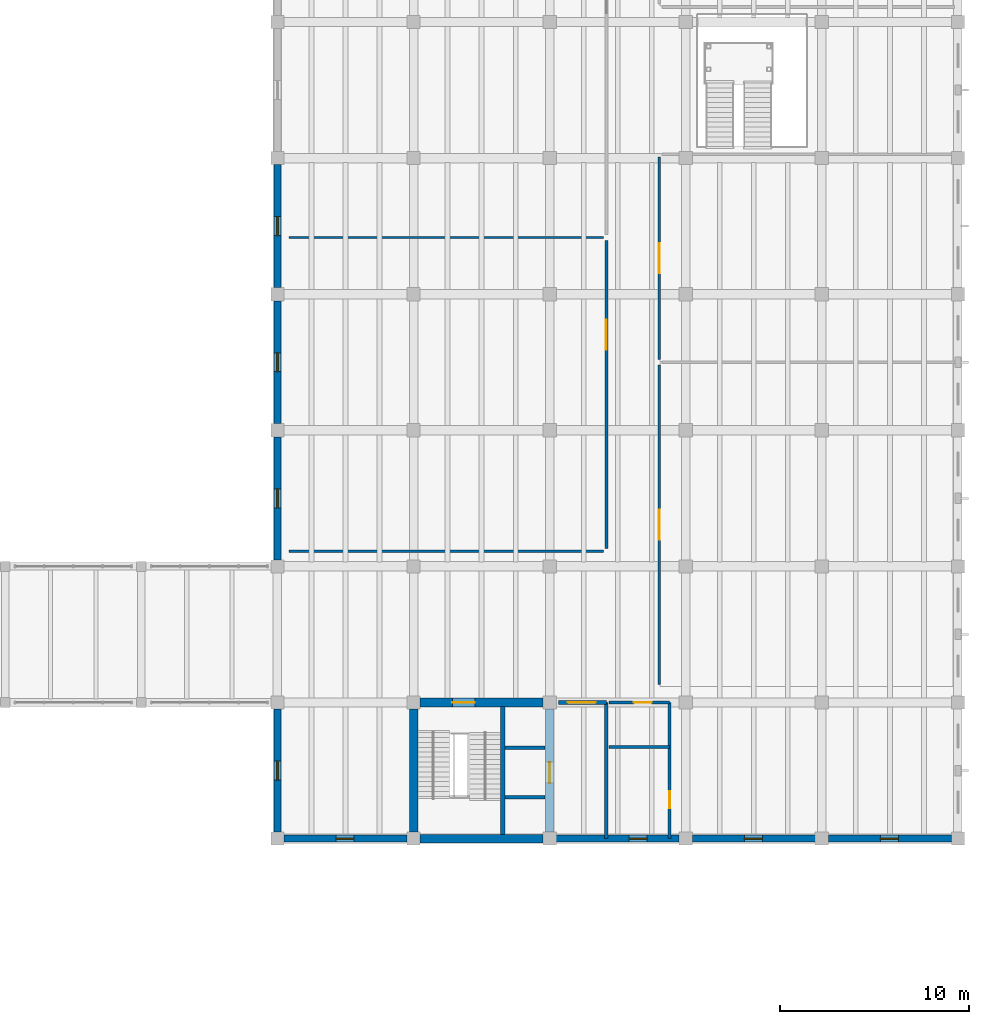
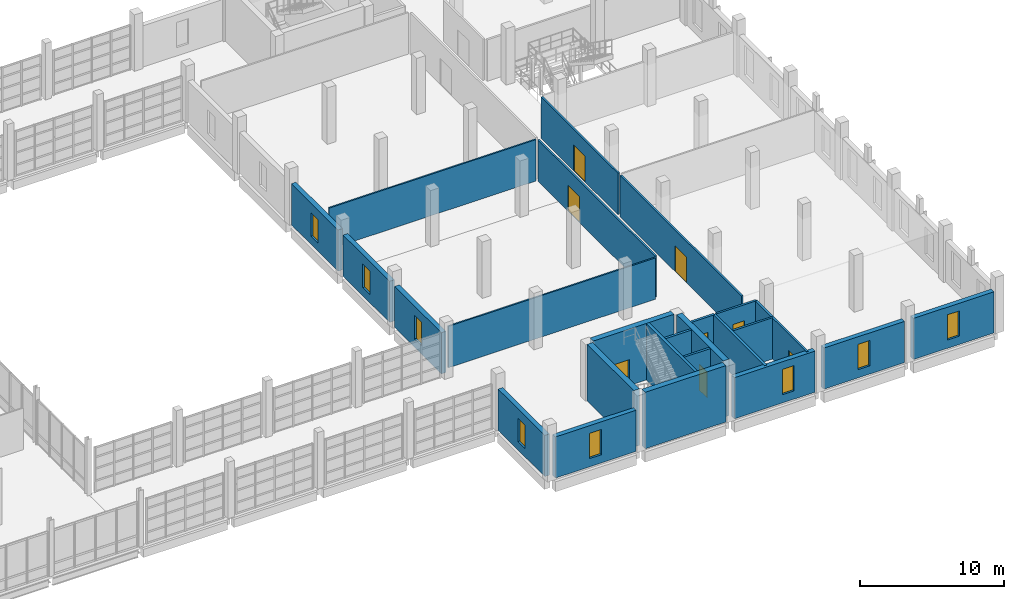
# One storey, part 69 of 77: 25 walls, 8 doors, 8 windows, 16 openings.
"""IFC4 building model written with IfcOpenShell, lengths in metres."""

from ifc_helpers import new_model, si_unit, direction, frame, frame_2d, origin, place, context, subcontext, project, spatial, rectangle, extrude, material, layer, layer_set, type_object, element, fill, save


model = new_model("IFC4")

# Units and contexts
model_context = context("Model", 3, precision=1e-05, world=origin(), true_north=direction((0.0, 1.0)))
body_context = subcontext(model_context, "Body", "Model", "MODEL_VIEW")
ifc_project = project(units=[si_unit("LENGTHUNIT", "METRE"), si_unit("AREAUNIT", "SQUARE_METRE"), si_unit("VOLUMEUNIT", "CUBIC_METRE"), si_unit("PLANEANGLEUNIT", "RADIAN"), si_unit("MASSUNIT", "GRAM", prefix="KILO")], contexts=[model_context])

# Site, building, storey
site_placement = place(None, origin())
site = spatial("IfcSite", under=ifc_project, at=site_placement, CompositionType="ELEMENT")
building_placement = place(site_placement, origin())
building = spatial("IfcBuilding", under=site, at=building_placement, Name="Qiaolan Assembly House", CompositionType="ELEMENT")
storey_placement = place(building_placement, frame((0.0, 0.0, 5.39990234375)))
storey = spatial("IfcBuildingStorey", under=building, at=storey_placement, Name="L01", CompositionType="ELEMENT", Elevation=5.39990234375)

# Wall
ifc_material_1 = material(Name="Concrete C50/60", Category="concrete")
ifc_layer_1 = layer(ifc_material_1, 0.449951171875)
ifc_layer_set_1 = layer_set([ifc_layer_1], Name="Concrete C50/60")
wall_type_1 = type_object("IfcWallType", Name="WAL-CORE-450", PredefinedType="SHEAR", material=ifc_layer_set_1)
wall_1_placement = place(storey_placement, frame((144.35009765625, 28.800048828125, 0.0), z_axis=(0.0, 0.0, 1.0), x_axis=(1.0, 0.0, 0.0)))
element("IfcWall", 1, at=wall_1_placement, inside=storey, type_object=wall_type_1, Name="CW-450 shear core wall CORE-E S L01", PredefinedType="SHEAR", context=body_context, shape_type="SweptSolid", body=[
    extrude(rectangle(XDim=6.5, YDim=0.449951171875, at=frame_2d((3.25, 0.0))), origin(), (0.0, 0.0, 1.0), 4.800048828125),
])

# Wall, opening, door
wall_2_placement = place(storey_placement, frame((151.199951171875, 29.14990234375, 0.0), z_axis=(0.0, 0.0, 1.0), x_axis=(0.0, 1.0, 0.0)))
wall_2 = element("IfcWall", 2, at=wall_2_placement, inside=storey, type_object=wall_type_1, Name="CW-450 shear core wall CORE-E E L01", PredefinedType="SHEAR", context=body_context, shape_type="SweptSolid", body=[
    extrude(rectangle(XDim=6.5, YDim=0.449951171875, at=frame_2d((3.25, 0.0))), origin(), (0.0, 0.0, 1.0), 4.800048828125),
])
opening_1_placement = place(wall_2_placement, frame((2.60009765625, 0.0, 0.0)))
opening_1 = element("IfcOpeningElement", 3, at=opening_1_placement, cuts=wall_2, Name="Opening LD-066", PredefinedType="OPENING", context=body_context, shape_type="SweptSolid", body=[
    extrude(rectangle(XDim=1.10009765625, YDim=2.199951171875, at=frame_2d((0.550048828125, 1.10009765625))), frame((0.0, 0.23486328125, 0.0), z_axis=(0.0, -1.0, 0.0), x_axis=(1.0, 0.0, 0.0)), (0.0, 0.0, 1.0), 0.469970703125),
])
ifc_material_2 = material(Name="Anodised bronze aluminium", Category="aluminium")
door_type_1 = type_object("IfcDoorType", Name="DOR-LIFT-LD1100", OperationType="SLIDING_TO_LEFT", PredefinedType="DOOR", material=ifc_material_2)
door_1_placement = place(opening_1_placement, origin())
door_1 = element("IfcDoor", 4, at=door_1_placement, inside=storey, type_object=door_type_1, Name="Lift landing door LD-066 (LF-09 L01)", OperationType="SLIDING_TO_LEFT", OverallHeight=2.199951171875, OverallWidth=1.10009765625, PredefinedType="DOOR", context=body_context, shape_type="SweptSolid", body=[
    extrude(rectangle(XDim=1.10009765625, YDim=2.199951171875, at=frame_2d((0.550048828125, 1.10009765625))), frame((0.0, 0.02490234375, 0.0), z_axis=(0.0, -1.0, 0.0), x_axis=(1.0, 0.0, 0.0)), (0.0, 0.0, 1.0), 0.050048828125),
])
fill(opening_1, door_1)

wall_3_placement = place(storey_placement, frame((150.85009765625, 36.0, 0.0), z_axis=(0.0, 0.0, 1.0), x_axis=(-1.0, 0.0, 0.0)))
wall_3 = element("IfcWall", 5, at=wall_3_placement, inside=storey, type_object=wall_type_1, Name="CW-450 shear core wall CORE-E N L01", PredefinedType="SHEAR", context=body_context, shape_type="SweptSolid", body=[
    extrude(rectangle(XDim=6.5, YDim=0.449951171875, at=frame_2d((3.25, 0.0))), origin(), (0.0, 0.0, 1.0), 4.800048828125),
])
opening_2_placement = place(wall_3_placement, frame((3.60009765625, 0.0, 0.0)))
opening_2 = element("IfcOpeningElement", 6, at=opening_2_placement, cuts=wall_3, Name="Opening FD-113", PredefinedType="OPENING", context=body_context, shape_type="SweptSolid", body=[
    extrude(rectangle(XDim=1.199951171875, YDim=2.199951171875, at=frame_2d((0.60009765625, 1.10009765625))), frame((0.0, 0.23486328125, 0.0), z_axis=(0.0, -1.0, 0.0), x_axis=(1.0, 0.0, 0.0)), (0.0, 0.0, 1.0), 0.469970703125),
])
ifc_material_3 = material(Name="Steel Q355B", Category="steel")
door_type_2 = type_object("IfcDoorType", Name="DOR-FIRE-FD90-1200", OperationType="NOTDEFINED", PredefinedType="DOOR", material=ifc_material_3)
door_2_placement = place(opening_2_placement, frame((1.199951171875, 0.0, 0.0), z_axis=(0.0, 0.0, 1.0), x_axis=(-1.0, 0.0, 0.0)))
door_2 = element("IfcDoor", 7, at=door_2_placement, inside=storey, type_object=door_type_2, Name="Stairwell fire door FD-113 (CORE-E L01)", OperationType="SINGLE_SWING_LEFT", OverallHeight=2.199951171875, OverallWidth=1.199951171875, PredefinedType="DOOR", context=body_context, shape_type="SweptSolid", body=[
    extrude(rectangle(XDim=1.199951171875, YDim=2.199951171875, at=frame_2d((0.60009765625, 1.10009765625))), frame((0.0, 0.02490234375, 0.0), z_axis=(0.0, -1.0, 0.0), x_axis=(1.0, 0.0, 0.0)), (0.0, 0.0, 1.0), 0.050048828125),
])
fill(opening_2, door_2)

# Wall
wall_4_placement = place(storey_placement, frame((144.0, 35.64990234375, 0.0), z_axis=(0.0, 0.0, 1.0), x_axis=(0.0, -1.0, 0.0)))
element("IfcWall", 8, at=wall_4_placement, inside=storey, type_object=wall_type_1, Name="CW-450 shear core wall CORE-E W L01", PredefinedType="SHEAR", context=body_context, shape_type="SweptSolid", body=[
    extrude(rectangle(XDim=6.5, YDim=0.449951171875, at=frame_2d((3.25, 0.0))), origin(), (0.0, 0.0, 1.0), 4.800048828125),
])

# Wall, opening, window
ifc_material_4 = material(Name="Honed pale limestone", Category="masonry")
ifc_layer_2 = layer(ifc_material_4, 0.3798828125)
ifc_layer_set_2 = layer_set([ifc_layer_2], Name="Honed pale limestone")
wall_type_2 = type_object("IfcWallType", Name="WAL-EXT-LIB-380", PredefinedType="SOLIDWALL", material=ifc_layer_set_2)
wall_5_placement = place(storey_placement, frame((136.800048828125, 29.14794921875, 0.0), z_axis=(0.0, 0.0, 1.0), x_axis=(0.0, 1.0, 0.0)))
wall_5 = element("IfcWall", 9, at=wall_5_placement, inside=storey, type_object=wall_type_2, Name="Library West court wall L01-1", PredefinedType="SOLIDWALL", context=body_context, shape_type="SweptSolid", body=[
    extrude(rectangle(XDim=6.504150390625, YDim=0.3798828125, at=frame_2d((3.251953125, 0.0))), origin(), (0.0, 0.0, 1.0), 3.5),
])
opening_3_placement = place(wall_5_placement, frame((2.751953125, 0.0, 0.699951171875)))
opening_3 = element("IfcOpeningElement", 10, at=opening_3_placement, cuts=wall_5, Name="Opening WN-428", PredefinedType="OPENING", context=body_context, shape_type="SweptSolid", body=[
    extrude(rectangle(XDim=1.0, YDim=2.0, at=frame_2d((0.5, 1.0))), frame((0.0, 0.199951171875, 0.0), z_axis=(0.0, -1.0, 0.0), x_axis=(1.0, 0.0, 0.0)), (0.0, 0.0, 1.0), 0.39990234375),
])
ifc_material_5 = material(Name="Low-E double insulating glass", Category="glass")
window_type_1 = type_object("IfcWindowType", Name="WIN-LIB-ARCH-1000x2000", PartitioningType="SINGLE_PANEL", PredefinedType="WINDOW", material=ifc_material_5)
window_1_placement = place(opening_3_placement, origin())
window_1 = element("IfcWindow", 11, at=window_1_placement, inside=storey, type_object=window_type_1, Name="Library courtyard window WN-428", OverallHeight=2.0, OverallWidth=1.0, PartitioningType="SINGLE_PANEL", PredefinedType="WINDOW", context=body_context, shape_type="SweptSolid", body=[
    extrude(rectangle(XDim=1.0, YDim=2.0, at=frame_2d((0.5, 1.0))), frame((0.0, 0.030029296875, 0.0), z_axis=(0.0, -1.0, 0.0), x_axis=(1.0, 0.0, 0.0)), (0.0, 0.0, 1.0), 0.06005859375),
])
fill(opening_3, window_1)

wall_6_placement = place(storey_placement, frame((136.800048828125, 43.548095703125, 0.0), z_axis=(0.0, 0.0, 1.0), x_axis=(0.0, 1.0, 0.0)))
wall_6 = element("IfcWall", 12, at=wall_6_placement, inside=storey, type_object=wall_type_2, Name="Library West court wall L01-3", PredefinedType="SOLIDWALL", context=body_context, shape_type="SweptSolid", body=[
    extrude(rectangle(XDim=6.50390625, YDim=0.3798828125, at=frame_2d((3.251953125, 0.0))), origin(), (0.0, 0.0, 1.0), 3.5),
])
opening_4_placement = place(wall_6_placement, frame((2.751953125, 0.0, 0.699951171875)))
opening_4 = element("IfcOpeningElement", 13, at=opening_4_placement, cuts=wall_6, Name="Opening WN-433", PredefinedType="OPENING", context=body_context, shape_type="SweptSolid", body=[
    extrude(rectangle(XDim=1.0, YDim=2.0, at=frame_2d((0.5, 1.0))), frame((0.0, 0.199951171875, 0.0), z_axis=(0.0, -1.0, 0.0), x_axis=(1.0, 0.0, 0.0)), (0.0, 0.0, 1.0), 0.39990234375),
])
window_2_placement = place(opening_4_placement, origin())
window_2 = element("IfcWindow", 14, at=window_2_placement, inside=storey, type_object=window_type_1, Name="Library courtyard window WN-433", OverallHeight=2.0, OverallWidth=1.0, PartitioningType="SINGLE_PANEL", PredefinedType="WINDOW", context=body_context, shape_type="SweptSolid", body=[
    extrude(rectangle(XDim=1.0, YDim=2.0, at=frame_2d((0.5, 1.0))), frame((0.0, 0.030029296875, 0.0), z_axis=(0.0, -1.0, 0.0), x_axis=(1.0, 0.0, 0.0)), (0.0, 0.0, 1.0), 0.06005859375),
])
fill(opening_4, window_2)

wall_7_placement = place(storey_placement, frame((136.800048828125, 50.748046875, 0.0), z_axis=(0.0, 0.0, 1.0), x_axis=(0.0, 1.0, 0.0)))
wall_7 = element("IfcWall", 15, at=wall_7_placement, inside=storey, type_object=wall_type_2, Name="Library West court wall L01-4", PredefinedType="SOLIDWALL", context=body_context, shape_type="SweptSolid", body=[
    extrude(rectangle(XDim=6.50390625, YDim=0.3798828125, at=frame_2d((3.251953125, 0.0))), origin(), (0.0, 0.0, 1.0), 3.5),
])
opening_5_placement = place(wall_7_placement, frame((2.751953125, 0.0, 0.699951171875)))
opening_5 = element("IfcOpeningElement", 16, at=opening_5_placement, cuts=wall_7, Name="Opening WN-436", PredefinedType="OPENING", context=body_context, shape_type="SweptSolid", body=[
    extrude(rectangle(XDim=1.0, YDim=2.0, at=frame_2d((0.5, 1.0))), frame((0.0, 0.199951171875, 0.0), z_axis=(0.0, -1.0, 0.0), x_axis=(1.0, 0.0, 0.0)), (0.0, 0.0, 1.0), 0.39990234375),
])
window_3_placement = place(opening_5_placement, origin())
window_3 = element("IfcWindow", 17, at=window_3_placement, inside=storey, type_object=window_type_1, Name="Library courtyard window WN-436", OverallHeight=2.0, OverallWidth=1.0, PartitioningType="SINGLE_PANEL", PredefinedType="WINDOW", context=body_context, shape_type="SweptSolid", body=[
    extrude(rectangle(XDim=1.0, YDim=2.0, at=frame_2d((0.5, 1.0))), frame((0.0, 0.030029296875, 0.0), z_axis=(0.0, -1.0, 0.0), x_axis=(1.0, 0.0, 0.0)), (0.0, 0.0, 1.0), 0.06005859375),
])
fill(opening_5, window_3)

wall_8_placement = place(storey_placement, frame((136.800048828125, 57.947998046875, 0.0), z_axis=(0.0, 0.0, 1.0), x_axis=(0.0, 1.0, 0.0)))
wall_8 = element("IfcWall", 18, at=wall_8_placement, inside=storey, type_object=wall_type_2, Name="Library West court wall L01-5", PredefinedType="SOLIDWALL", context=body_context, shape_type="SweptSolid", body=[
    extrude(rectangle(XDim=6.50390625, YDim=0.3798828125, at=frame_2d((3.251953125, 0.0))), origin(), (0.0, 0.0, 1.0), 3.5),
])
opening_6_placement = place(wall_8_placement, frame((2.751953125, 0.0, 0.699951171875)))
opening_6 = element("IfcOpeningElement", 19, at=opening_6_placement, cuts=wall_8, Name="Opening WN-439", PredefinedType="OPENING", context=body_context, shape_type="SweptSolid", body=[
    extrude(rectangle(XDim=1.0, YDim=2.0, at=frame_2d((0.5, 1.0))), frame((0.0, 0.199951171875, 0.0), z_axis=(0.0, -1.0, 0.0), x_axis=(1.0, 0.0, 0.0)), (0.0, 0.0, 1.0), 0.39990234375),
])
window_4_placement = place(opening_6_placement, origin())
window_4 = element("IfcWindow", 20, at=window_4_placement, inside=storey, type_object=window_type_1, Name="Library courtyard window WN-439", OverallHeight=2.0, OverallWidth=1.0, PartitioningType="SINGLE_PANEL", PredefinedType="WINDOW", context=body_context, shape_type="SweptSolid", body=[
    extrude(rectangle(XDim=1.0, YDim=2.0, at=frame_2d((0.5, 1.0))), frame((0.0, 0.030029296875, 0.0), z_axis=(0.0, -1.0, 0.0), x_axis=(1.0, 0.0, 0.0)), (0.0, 0.0, 1.0), 0.06005859375),
])
fill(opening_6, window_4)

wall_9_placement = place(storey_placement, frame((137.14794921875, 28.800048828125, 0.0), z_axis=(0.0, 0.0, 1.0), x_axis=(1.0, 0.0, 0.0)))
wall_9 = element("IfcWall", 21, at=wall_9_placement, inside=storey, type_object=wall_type_2, Name="Library South wall L01-1", PredefinedType="SOLIDWALL", context=body_context, shape_type="SweptSolid", body=[
    extrude(rectangle(XDim=6.504150390625, YDim=0.3798828125, at=frame_2d((3.251953125, 0.0))), origin(), (0.0, 0.0, 1.0), 3.5),
])
opening_7_placement = place(wall_9_placement, frame((2.751953125, 0.0, 0.699951171875)))
opening_7 = element("IfcOpeningElement", 22, at=opening_7_placement, cuts=wall_9, Name="Opening WN-448", PredefinedType="OPENING", context=body_context, shape_type="SweptSolid", body=[
    extrude(rectangle(XDim=0.949951171875, YDim=2.14990234375, at=frame_2d((0.47509765625, 1.074951171875))), frame((0.0, 0.199951171875, 0.0), z_axis=(0.0, -1.0, 0.0), x_axis=(1.0, 0.0, 0.0)), (0.0, 0.0, 1.0), 0.39990234375),
])
window_type_2 = type_object("IfcWindowType", Name="WIN-PUNCH-950x2150", PartitioningType="SINGLE_PANEL", PredefinedType="WINDOW", material=ifc_material_5)
window_5_placement = place(opening_7_placement, origin())
window_5 = element("IfcWindow", 23, at=window_5_placement, inside=storey, type_object=window_type_2, Name="Library South window WN-448", OverallHeight=2.14990234375, OverallWidth=0.949951171875, PartitioningType="SINGLE_PANEL", PredefinedType="WINDOW", context=body_context, shape_type="SweptSolid", body=[
    extrude(rectangle(XDim=0.949951171875, YDim=2.14990234375, at=frame_2d((0.47509765625, 1.074951171875))), frame((0.0, 0.030029296875, 0.0), z_axis=(0.0, -1.0, 0.0), x_axis=(1.0, 0.0, 0.0)), (0.0, 0.0, 1.0), 0.06005859375),
])
fill(opening_7, window_5)

wall_10_placement = place(storey_placement, frame((151.548095703125, 28.800048828125, 0.0), z_axis=(0.0, 0.0, 1.0), x_axis=(1.0, 0.0, 0.0)))
wall_10 = element("IfcWall", 24, at=wall_10_placement, inside=storey, type_object=wall_type_2, Name="Library South wall L01-3", PredefinedType="SOLIDWALL", context=body_context, shape_type="SweptSolid", body=[
    extrude(rectangle(XDim=6.50390625, YDim=0.3798828125, at=frame_2d((3.251953125, 0.0))), origin(), (0.0, 0.0, 1.0), 3.5),
])
opening_8_placement = place(wall_10_placement, frame((3.860595703125, 0.0, 0.699951171875)))
opening_8 = element("IfcOpeningElement", 25, at=opening_8_placement, cuts=wall_10, Name="Opening WN-450", PredefinedType="OPENING", context=body_context, shape_type="SweptSolid", body=[
    extrude(rectangle(XDim=0.949951171875, YDim=2.14990234375, at=frame_2d((0.47509765625, 1.074951171875))), frame((0.0, 0.199951171875, 0.0), z_axis=(0.0, -1.0, 0.0), x_axis=(1.0, 0.0, 0.0)), (0.0, 0.0, 1.0), 0.39990234375),
])
window_6_placement = place(opening_8_placement, origin())
window_6 = element("IfcWindow", 26, at=window_6_placement, inside=storey, type_object=window_type_2, Name="Library South window WN-450", OverallHeight=2.14990234375, OverallWidth=0.949951171875, PartitioningType="SINGLE_PANEL", PredefinedType="WINDOW", context=body_context, shape_type="SweptSolid", body=[
    extrude(rectangle(XDim=0.949951171875, YDim=2.14990234375, at=frame_2d((0.47509765625, 1.074951171875))), frame((0.0, 0.030029296875, 0.0), z_axis=(0.0, -1.0, 0.0), x_axis=(1.0, 0.0, 0.0)), (0.0, 0.0, 1.0), 0.06005859375),
])
fill(opening_8, window_6)

wall_11_placement = place(storey_placement, frame((158.748046875, 28.800048828125, 0.0), z_axis=(0.0, 0.0, 1.0), x_axis=(1.0, 0.0, 0.0)))
wall_11 = element("IfcWall", 27, at=wall_11_placement, inside=storey, type_object=wall_type_2, Name="Library South wall L01-4", PredefinedType="SOLIDWALL", context=body_context, shape_type="SweptSolid", body=[
    extrude(rectangle(XDim=6.50390625, YDim=0.3798828125, at=frame_2d((3.251953125, 0.0))), origin(), (0.0, 0.0, 1.0), 3.5),
])
opening_9_placement = place(wall_11_placement, frame((2.751953125, 0.0, 0.699951171875)))
opening_9 = element("IfcOpeningElement", 28, at=opening_9_placement, cuts=wall_11, Name="Opening WN-452", PredefinedType="OPENING", context=body_context, shape_type="SweptSolid", body=[
    extrude(rectangle(XDim=0.949951171875, YDim=2.14990234375, at=frame_2d((0.47509765625, 1.074951171875))), frame((0.0, 0.199951171875, 0.0), z_axis=(0.0, -1.0, 0.0), x_axis=(1.0, 0.0, 0.0)), (0.0, 0.0, 1.0), 0.39990234375),
])
window_7_placement = place(opening_9_placement, origin())
window_7 = element("IfcWindow", 29, at=window_7_placement, inside=storey, type_object=window_type_2, Name="Library South window WN-452", OverallHeight=2.14990234375, OverallWidth=0.949951171875, PartitioningType="SINGLE_PANEL", PredefinedType="WINDOW", context=body_context, shape_type="SweptSolid", body=[
    extrude(rectangle(XDim=0.949951171875, YDim=2.14990234375, at=frame_2d((0.47509765625, 1.074951171875))), frame((0.0, 0.030029296875, 0.0), z_axis=(0.0, -1.0, 0.0), x_axis=(1.0, 0.0, 0.0)), (0.0, 0.0, 1.0), 0.06005859375),
])
fill(opening_9, window_7)

wall_12_placement = place(storey_placement, frame((165.947998046875, 28.800048828125, 0.0), z_axis=(0.0, 0.0, 1.0), x_axis=(1.0, 0.0, 0.0)))
wall_12 = element("IfcWall", 30, at=wall_12_placement, inside=storey, type_object=wall_type_2, Name="Library South wall L01-5", PredefinedType="SOLIDWALL", context=body_context, shape_type="SweptSolid", body=[
    extrude(rectangle(XDim=6.50390625, YDim=0.3798828125, at=frame_2d((3.251953125, 0.0))), origin(), (0.0, 0.0, 1.0), 3.5),
])
opening_10_placement = place(wall_12_placement, frame((2.751953125, 0.0, 0.699951171875)))
opening_10 = element("IfcOpeningElement", 31, at=opening_10_placement, cuts=wall_12, Name="Opening WN-454", PredefinedType="OPENING", context=body_context, shape_type="SweptSolid", body=[
    extrude(rectangle(XDim=0.949951171875, YDim=2.14990234375, at=frame_2d((0.47509765625, 1.074951171875))), frame((0.0, 0.199951171875, 0.0), z_axis=(0.0, -1.0, 0.0), x_axis=(1.0, 0.0, 0.0)), (0.0, 0.0, 1.0), 0.39990234375),
])
window_8_placement = place(opening_10_placement, origin())
window_8 = element("IfcWindow", 32, at=window_8_placement, inside=storey, type_object=window_type_2, Name="Library South window WN-454", OverallHeight=2.14990234375, OverallWidth=0.949951171875, PartitioningType="SINGLE_PANEL", PredefinedType="WINDOW", context=body_context, shape_type="SweptSolid", body=[
    extrude(rectangle(XDim=0.949951171875, YDim=2.14990234375, at=frame_2d((0.47509765625, 1.074951171875))), frame((0.0, 0.030029296875, 0.0), z_axis=(0.0, -1.0, 0.0), x_axis=(1.0, 0.0, 0.0)), (0.0, 0.0, 1.0), 0.06005859375),
])
fill(opening_10, window_8)

# Wall
ifc_material_6 = material(Name="Concrete C35/45", Category="concrete")
ifc_layer_3 = layer(ifc_material_6, 0.199951171875)
ifc_layer_set_3 = layer_set([ifc_layer_3], Name="Concrete C35/45")
wall_type_3 = type_object("IfcWallType", Name="WAL-LOBBY-200", PredefinedType="PARTITIONING", material=ifc_layer_set_3)
wall_13_placement = place(storey_placement, frame((154.199951171875, 28.800048828125, 0.0), z_axis=(0.0, 0.0, 1.0), x_axis=(0.0, 1.0, 0.0)))
element("IfcWall", 33, at=wall_13_placement, inside=storey, type_object=wall_type_3, Name="Firefighting lift lobby east wall CORE-E L01", PredefinedType="PARTITIONING", context=body_context, shape_type="SweptSolid", body=[
    extrude(rectangle(XDim=7.199951171875, YDim=0.199951171875, at=frame_2d((3.60009765625, 0.0))), origin(), (0.0, 0.0, 1.0), 3.52001953125),
])

# Wall, opening, door
wall_14_placement = place(storey_placement, frame((154.199951171875, 36.0, 0.0), z_axis=(0.0, 0.0, 1.0), x_axis=(-1.0, 0.0, 0.0)))
wall_14 = element("IfcWall", 34, at=wall_14_placement, inside=storey, type_object=wall_type_3, Name="Firefighting lift lobby north wall CORE-E L01", PredefinedType="PARTITIONING", context=body_context, shape_type="SweptSolid", body=[
    extrude(rectangle(XDim=2.52001953125, YDim=0.199951171875, at=frame_2d((1.260009765625, 0.0))), origin(), (0.0, 0.0, 1.0), 3.52001953125),
])
opening_11_placement = place(wall_14_placement, frame((0.550048828125, 0.0, 0.0)))
opening_11 = element("IfcOpeningElement", 35, at=opening_11_placement, cuts=wall_14, Name="Opening FD-114", PredefinedType="OPENING", context=body_context, shape_type="SweptSolid", body=[
    extrude(rectangle(XDim=1.5, YDim=2.199951171875, at=frame_2d((0.75, 1.10009765625))), frame((0.0, 0.10986328125, 0.0), z_axis=(0.0, -1.0, 0.0), x_axis=(1.0, 0.0, 0.0)), (0.0, 0.0, 1.0), 0.219970703125),
])
ifc_material_7 = material(Name="Acoustic oak panelling")
door_type_3 = type_object("IfcDoorType", Name="DOR-LOBBY-FD60-1500", OperationType="DOUBLE_DOOR_SINGLE_SWING", PredefinedType="DOOR", material=ifc_material_7)
door_3_placement = place(opening_11_placement, frame((1.5, 0.0, 0.0), z_axis=(0.0, 0.0, 1.0), x_axis=(-1.0, 0.0, 0.0)))
door_3 = element("IfcDoor", 36, at=door_3_placement, inside=storey, type_object=door_type_3, Name="Lobby corridor fire door FD-114", OperationType="DOUBLE_DOOR_SINGLE_SWING", OverallHeight=2.199951171875, OverallWidth=1.5, PredefinedType="DOOR", context=body_context, shape_type="SweptSolid", body=[
    extrude(rectangle(XDim=1.5, YDim=2.199951171875, at=frame_2d((0.75, 1.10009765625))), frame((0.0, 0.02490234375, 0.0), z_axis=(0.0, -1.0, 0.0), x_axis=(1.0, 0.0, 0.0)), (0.0, 0.0, 1.0), 0.050048828125),
])
fill(opening_11, door_3)

# Walls
ifc_material_8 = material(Name="Gypsum plasterboard partition")
ifc_layer_4 = layer(ifc_material_8, 0.1201171875)
ifc_layer_set_4 = layer_set([ifc_layer_4], Name="Gypsum plasterboard partition")
wall_type_4 = type_object("IfcWallType", Name="WAL-PART-120", PredefinedType="PARTITIONING", material=ifc_layer_set_4)
for number, where, z_axis, x_axis, name in (
    (37, (137.39990234375, 44.0, 0.0), (0.0, 0.0, 1.0), (1.0, 0.0, 0.0), "Cloister Court Reading Carrels L01 end wall"),
    (38, (137.39990234375, 60.60009765625, 0.0), (0.0, 0.0, 1.0), (1.0, 0.0, 0.0), "Municipal Legal Reference Stacks L01 divider wall"),
):
    element("IfcWall", number, at=place(storey_placement, frame(where, z_axis=z_axis, x_axis=x_axis)), inside=storey, type_object=wall_type_4, Name=name, PredefinedType="PARTITIONING", context=body_context, shape_type="SweptSolid", body=[
        extrude(rectangle(XDim=16.650146484375, YDim=0.1201171875, at=frame_2d((8.3251953125, 0.0))), origin(), (0.0, 0.0, 1.0), 3.52001953125),
    ])

# Wall, opening, door
ifc_layer_5 = layer(ifc_material_8, 0.14990234375)
ifc_layer_set_5 = layer_set([ifc_layer_5], Name="Gypsum plasterboard partition")
wall_type_5 = type_object("IfcWallType", Name="WAL-PART-150", PredefinedType="PARTITIONING", material=ifc_layer_set_5)
wall_15_placement = place(storey_placement, frame((154.199951171875, 60.449951171875, 0.0), z_axis=(0.0, 0.0, 1.0), x_axis=(0.0, -1.0, 0.0)))
wall_15 = element("IfcWall", 39, at=wall_15_placement, inside=storey, type_object=wall_type_5, Name="Cloister Court Reading Carrels L01 corridor wall", PredefinedType="PARTITIONING", context=body_context, shape_type="SweptSolid", body=[
    extrude(rectangle(XDim=16.300048828125, YDim=0.14990234375, at=frame_2d((8.14990234375, 0.0))), origin(), (0.0, 0.0, 1.0), 3.52001953125),
])
opening_12_placement = place(wall_15_placement, frame((4.199951171875, 0.0, 0.0)))
opening_12 = element("IfcOpeningElement", 40, at=opening_12_placement, cuts=wall_15, Name="Opening MD-279", PredefinedType="OPENING", context=body_context, shape_type="SweptSolid", body=[
    extrude(rectangle(XDim=1.60009765625, YDim=2.199951171875, at=frame_2d((0.800048828125, 1.10009765625))), frame((0.0, 0.0849609375, 0.0), z_axis=(0.0, -1.0, 0.0), x_axis=(1.0, 0.0, 0.0)), (0.0, 0.0, 1.0), 0.169921875),
])
door_type_4 = type_object("IfcDoorType", Name="DOR-COMM-DBL-1600", OperationType="DOUBLE_DOOR_SINGLE_SWING", PredefinedType="DOOR", material=ifc_material_7)
door_4_placement = place(opening_12_placement, origin())
door_4 = element("IfcDoor", 41, at=door_4_placement, inside=storey, type_object=door_type_4, Name="Cloister Court Reading Carrels L01 door MD-279", OperationType="DOUBLE_DOOR_SINGLE_SWING", OverallHeight=2.199951171875, OverallWidth=1.60009765625, PredefinedType="DOOR", context=body_context, shape_type="SweptSolid", body=[
    extrude(rectangle(XDim=1.60009765625, YDim=2.199951171875, at=frame_2d((0.800048828125, 1.10009765625))), frame((0.0, 0.02490234375, 0.0), z_axis=(0.0, -1.0, 0.0), x_axis=(1.0, 0.0, 0.0)), (0.0, 0.0, 1.0), 0.050048828125),
])
fill(opening_12, door_4)

wall_16_placement = place(storey_placement, frame((157.0, 36.949951171875, 0.0), z_axis=(0.0, 0.0, 1.0), x_axis=(0.0, 1.0, 0.0)))
wall_16 = element("IfcWall", 42, at=wall_16_placement, inside=storey, type_object=wall_type_5, Name="Members' Library Main Reading Hall corridor wall", PredefinedType="PARTITIONING", context=body_context, shape_type="SweptSolid", body=[
    extrude(rectangle(XDim=16.900146484375, YDim=0.14990234375, at=frame_2d((8.4501953125, 0.0))), origin(), (0.0, 0.0, 1.0), 3.52001953125),
])
opening_13_placement = place(wall_16_placement, frame((7.64990234375, 0.0, 0.0)))
opening_13 = element("IfcOpeningElement", 43, at=opening_13_placement, cuts=wall_16, Name="Opening MD-281", PredefinedType="OPENING", context=body_context, shape_type="SweptSolid", body=[
    extrude(rectangle(XDim=1.60009765625, YDim=2.199951171875, at=frame_2d((0.800048828125, 1.10009765625))), frame((0.0, 0.0849609375, 0.0), z_axis=(0.0, -1.0, 0.0), x_axis=(1.0, 0.0, 0.0)), (0.0, 0.0, 1.0), 0.169921875),
])
door_5_placement = place(opening_13_placement, origin())
door_5 = element("IfcDoor", 44, at=door_5_placement, inside=storey, type_object=door_type_4, Name="Members' Library Main Reading Hall door MD-281", OperationType="DOUBLE_DOOR_SINGLE_SWING", OverallHeight=2.199951171875, OverallWidth=1.60009765625, PredefinedType="DOOR", context=body_context, shape_type="SweptSolid", body=[
    extrude(rectangle(XDim=1.60009765625, YDim=2.199951171875, at=frame_2d((0.800048828125, 1.10009765625))), frame((0.0, 0.02490234375, 0.0), z_axis=(0.0, -1.0, 0.0), x_axis=(1.0, 0.0, 0.0)), (0.0, 0.0, 1.0), 0.050048828125),
])
fill(opening_13, door_5)

wall_17_placement = place(storey_placement, frame((157.0, 54.14990234375, 0.0), z_axis=(0.0, 0.0, 1.0), x_axis=(0.0, 1.0, 0.0)))
wall_17 = element("IfcWall", 45, at=wall_17_placement, inside=storey, type_object=wall_type_5, Name="Legislative History & Constitutional Stacks corridor wall", PredefinedType="PARTITIONING", context=body_context, shape_type="SweptSolid", body=[
    extrude(rectangle(XDim=10.7001953125, YDim=0.14990234375, at=frame_2d((5.35009765625, 0.0))), origin(), (0.0, 0.0, 1.0), 3.52001953125),
])
opening_14_placement = place(wall_17_placement, frame((4.550048828125, 0.0, 0.0)))
opening_14 = element("IfcOpeningElement", 46, at=opening_14_placement, cuts=wall_17, Name="Opening MD-282", PredefinedType="OPENING", context=body_context, shape_type="SweptSolid", body=[
    extrude(rectangle(XDim=1.60009765625, YDim=2.199951171875, at=frame_2d((0.800048828125, 1.10009765625))), frame((0.0, 0.0849609375, 0.0), z_axis=(0.0, -1.0, 0.0), x_axis=(1.0, 0.0, 0.0)), (0.0, 0.0, 1.0), 0.169921875),
])
door_6_placement = place(opening_14_placement, origin())
door_6 = element("IfcDoor", 47, at=door_6_placement, inside=storey, type_object=door_type_4, Name="Legislative History & Constitutional Stacks door MD-282", OperationType="DOUBLE_DOOR_SINGLE_SWING", OverallHeight=2.199951171875, OverallWidth=1.60009765625, PredefinedType="DOOR", context=body_context, shape_type="SweptSolid", body=[
    extrude(rectangle(XDim=1.60009765625, YDim=2.199951171875, at=frame_2d((0.800048828125, 1.10009765625))), frame((0.0, 0.02490234375, 0.0), z_axis=(0.0, -1.0, 0.0), x_axis=(1.0, 0.0, 0.0)), (0.0, 0.0, 1.0), 0.050048828125),
])
fill(opening_14, door_6)

# Walls
ifc_layer_6 = layer(ifc_material_6, 0.18505859375)
ifc_layer_set_6 = layer_set([ifc_layer_6], Name="Concrete C35/45")
wall_type_6 = type_object("IfcWallType", Name="WAL-SHAFT-200", PredefinedType="PARTITIONING", material=ifc_layer_set_6)
for number, where, z_axis, x_axis, name in (
    (48, (148.85009765625, 31.0, 0.0), (0.0, 0.0, 1.0), (1.0, 0.0, 0.0), "SW-200 lift shaft wall LF-09 L01 DIVS"),
    (49, (148.85009765625, 33.60009765625, 0.0), (0.0, 0.0, 1.0), (1.0, 0.0, 0.0), "SW-200 lift shaft wall LF-09 L01 DIVN"),
):
    element("IfcWall", number, at=place(storey_placement, frame(where, z_axis=z_axis, x_axis=x_axis)), inside=storey, type_object=wall_type_6, Name=name, PredefinedType="PARTITIONING", context=body_context, shape_type="SweptSolid", body=[
        extrude(rectangle(XDim=2.099853515625, YDim=0.18505859375, at=frame_2d((1.0498046875, 0.0))), origin(), (0.0, 0.0, 1.0), 4.800048828125),
    ])
ifc_material_9 = material(Name="Concrete C40/50", Category="concrete")
ifc_layer_7 = layer(ifc_material_9, 0.22509765625)
ifc_layer_set_7 = layer_set([ifc_layer_7], Name="Concrete C40/50")
wall_type_7 = type_object("IfcWallType", Name="WAL-STAIR-DIV-225", PredefinedType="SHEAR", material=ifc_layer_set_7)
wall_18_placement = place(storey_placement, frame((148.719970703125, 29.02001953125, 0.0), z_axis=(0.0, 0.0, 1.0), x_axis=(0.0, 1.0, 0.0)))
element("IfcWall", 50, at=wall_18_placement, inside=storey, type_object=wall_type_7, Name="SDW-225 stairwell structural spine wall CORE-E L01", PredefinedType="SHEAR", context=body_context, shape_type="SweptSolid", body=[
    extrude(rectangle(XDim=6.760009765625, YDim=0.22509765625, at=frame_2d((3.3798828125, 0.0))), origin(), (0.0, 0.0, 1.0), 4.800048828125),
])

# Wall, opening, door
ifc_material_10 = material(Name="Concrete C30/37", Category="concrete")
ifc_layer_8 = layer(ifc_material_10, 0.1650390625)
ifc_layer_set_8 = layer_set([ifc_layer_8], Name="Concrete C30/37")
wall_type_8 = type_object("IfcWallType", Name="WAL-WET-150", PredefinedType="PARTITIONING", material=ifc_layer_set_8)
wall_19_placement = place(storey_placement, frame((157.550048828125, 28.800048828125, 0.0), z_axis=(0.0, 0.0, 1.0), x_axis=(0.0, 1.0, 0.0)))
wall_19 = element("IfcWall", 51, at=wall_19_placement, inside=storey, type_object=wall_type_8, Name="Public WC east wall CORE-E L01", PredefinedType="PARTITIONING", context=body_context, shape_type="SweptSolid", body=[
    extrude(rectangle(XDim=7.199951171875, YDim=0.1650390625, at=frame_2d((3.60009765625, 0.0))), origin(), (0.0, 0.0, 1.0), 3.52001953125),
])
opening_15_placement = place(wall_19_placement, frame((1.60009765625, 0.0, 0.0)))
opening_15 = element("IfcOpeningElement", 52, at=opening_15_placement, cuts=wall_19, Name="Opening WD-115", PredefinedType="OPENING", context=body_context, shape_type="SweptSolid", body=[
    extrude(rectangle(XDim=0.89990234375, YDim=2.14990234375, at=frame_2d((0.449951171875, 1.074951171875))), frame((0.0, 0.092529296875, 0.0), z_axis=(0.0, -1.0, 0.0), x_axis=(1.0, 0.0, 0.0)), (0.0, 0.0, 1.0), 0.18505859375),
])
door_type_5 = type_object("IfcDoorType", Name="DOR-WC-900", OperationType="NOTDEFINED", PredefinedType="DOOR", material=ifc_material_7)
door_7_placement = place(opening_15_placement, origin())
door_7 = element("IfcDoor", 53, at=door_7_placement, inside=storey, type_object=door_type_5, Name="Public Restroom door WD-115", OperationType="SINGLE_SWING_RIGHT", OverallHeight=2.14990234375, OverallWidth=0.89990234375, PredefinedType="DOOR", context=body_context, shape_type="SweptSolid", body=[
    extrude(rectangle(XDim=0.89990234375, YDim=2.14990234375, at=frame_2d((0.449951171875, 1.074951171875))), frame((0.0, 0.02490234375, 0.0), z_axis=(0.0, -1.0, 0.0), x_axis=(1.0, 0.0, 0.0)), (0.0, 0.0, 1.0), 0.050048828125),
])
fill(opening_15, door_7)

wall_20_placement = place(storey_placement, frame((157.550048828125, 36.0, 0.0), z_axis=(0.0, 0.0, 1.0), x_axis=(-1.0, 0.0, 0.0)))
wall_20 = element("IfcWall", 54, at=wall_20_placement, inside=storey, type_object=wall_type_8, Name="Accessible WC corridor wall CORE-E L01", PredefinedType="PARTITIONING", context=body_context, shape_type="SweptSolid", body=[
    extrude(rectangle(XDim=3.199951171875, YDim=0.1650390625, at=frame_2d((1.60009765625, 0.0))), origin(), (0.0, 0.0, 1.0), 3.52001953125),
])
opening_16_placement = place(wall_20_placement, frame((0.949951171875, 0.0, 0.0)))
opening_16 = element("IfcOpeningElement", 55, at=opening_16_placement, cuts=wall_20, Name="Opening AD-116", PredefinedType="OPENING", context=body_context, shape_type="SweptSolid", body=[
    extrude(rectangle(XDim=0.949951171875, YDim=2.14990234375, at=frame_2d((0.47509765625, 1.074951171875))), frame((0.0, 0.092529296875, 0.0), z_axis=(0.0, -1.0, 0.0), x_axis=(1.0, 0.0, 0.0)), (0.0, 0.0, 1.0), 0.18505859375),
])
door_type_6 = type_object("IfcDoorType", Name="DOR-ACC-WC-950", OperationType="NOTDEFINED", PredefinedType="DOOR", material=ifc_material_7)
door_8_placement = place(opening_16_placement, origin())
door_8 = element("IfcDoor", 56, at=door_8_placement, inside=storey, type_object=door_type_6, Name="Accessible Restroom door AD-116", OperationType="SINGLE_SWING_LEFT", OverallHeight=2.14990234375, OverallWidth=0.949951171875, PredefinedType="DOOR", context=body_context, shape_type="SweptSolid", body=[
    extrude(rectangle(XDim=0.949951171875, YDim=2.14990234375, at=frame_2d((0.47509765625, 1.074951171875))), frame((0.0, 0.02490234375, 0.0), z_axis=(0.0, -1.0, 0.0), x_axis=(1.0, 0.0, 0.0)), (0.0, 0.0, 1.0), 0.050048828125),
])
fill(opening_16, door_8)

# Wall
wall_21_placement = place(storey_placement, frame((154.35009765625, 33.64990234375, 0.0), z_axis=(0.0, 0.0, 1.0), x_axis=(1.0, 0.0, 0.0)))
element("IfcWall", 57, at=wall_21_placement, inside=storey, type_object=wall_type_8, Name="WC divider wall CORE-E L01", PredefinedType="PARTITIONING", context=body_context, shape_type="SweptSolid", body=[
    extrude(rectangle(XDim=3.199951171875, YDim=0.1650390625, at=frame_2d((1.60009765625, 0.0))), origin(), (0.0, 0.0, 1.0), 3.52001953125),
])

save(model, "model.ifc")
